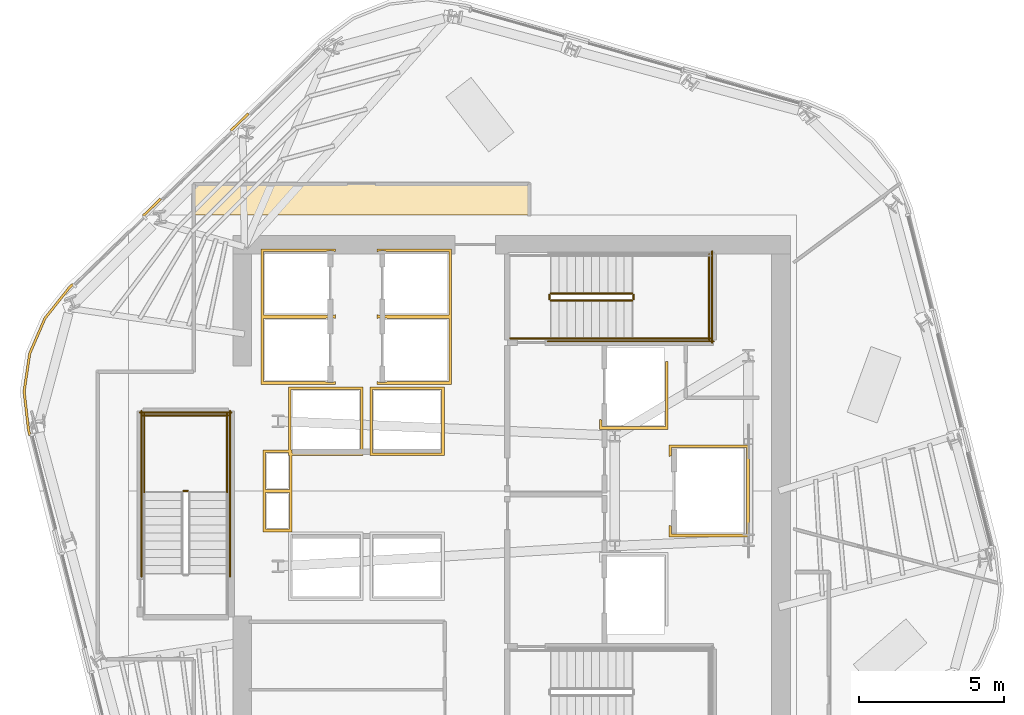
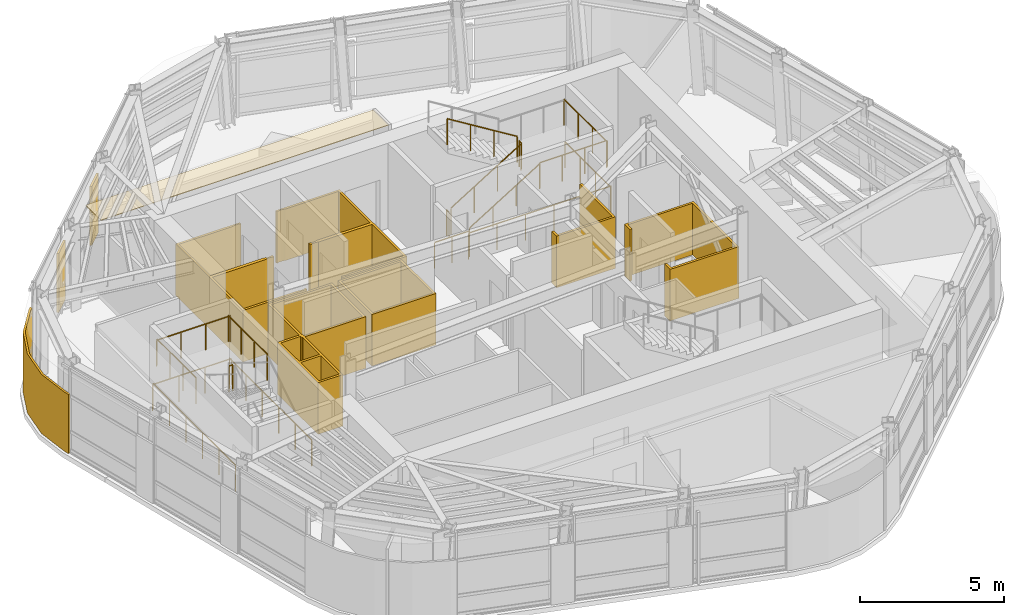
# One storey, part 12 of 14: 17 railings, 10 coverings.
"""IFC4 building model written with IfcOpenShell, lengths in metres."""

from ifc_helpers import new_model, si_unit, direction, frame, origin, origin_2d, place, context, subcontext, project, spatial, polyline, circle, outline, extrude, material, layer, layer_set, type_object, element, save


model = new_model("IFC4")

# Units and contexts
model_context = context("Model", 3, precision=1e-05, world=origin(), true_north=direction((0.0, 1.0)))
body_context = subcontext(model_context, "Body", "Model", "MODEL_VIEW")
ifc_project = project(units=[si_unit("LENGTHUNIT", "METRE"), si_unit("AREAUNIT", "SQUARE_METRE"), si_unit("VOLUMEUNIT", "CUBIC_METRE"), si_unit("PLANEANGLEUNIT", "RADIAN"), si_unit("MASSUNIT", "GRAM", prefix="KILO")], contexts=[model_context])

# Site, building, storey
site_placement = place(None, origin())
site = spatial("IfcSite", under=ifc_project, at=site_placement, CompositionType="ELEMENT")
building_placement = place(site_placement, origin())
building = spatial("IfcBuilding", under=site, at=building_placement, Name="Valkerne Bourse Tower", CompositionType="ELEMENT")
storey_placement = place(building_placement, frame((0.0, 0.0, 213.199951171875)))
storey = spatial("IfcBuildingStorey", under=building, at=storey_placement, Name="L54", CompositionType="ELEMENT", Elevation=213.199951171875)

# Coverings
ifc_material_1 = material(Name="Bronze Anodised Aluminium AA 6063-T6", Category="aluminium")
ifc_layer_1 = layer(ifc_material_1, 0.030029296875)
ifc_layer_set_1 = layer_set([ifc_layer_1], Name="Bronze Anodised Aluminium AA 6063-T6")
covering_type_1 = type_object("IfcCoveringType", Name="COV-CEIL-METAL", PredefinedType="CEILING", material=ifc_layer_set_1)
covering_1_placement = place(storey_placement, frame((0.0, 0.0, 3.25)))
element("IfcCovering", 1, at=covering_1_placement, inside=storey, type_object=covering_type_1, Name="L54 Suspended Ceiling 03", PredefinedType="CEILING", context=body_context, shape_type="SweptSolid", body=[
    extrude(outline(polyline([(35.85400390625, 37.555908203125), (47.39599609375, 37.555908203125), (47.39599609375, 36.5), (35.85400390625, 36.5), (35.85400390625, 37.555908203125)])), origin(), (0.0, 0.0, 1.0), 0.025146484375),
])
ifc_layer_2 = layer(ifc_material_1, 0.06005859375)
ifc_layer_set_2 = layer_set([ifc_layer_2], Name="Bronze Anodised Aluminium AA 6063-T6")
covering_type_2 = type_object("IfcCoveringType", Name="COV-CRN-ALUM", PredefinedType="CLADDING", material=ifc_layer_set_2)
covering_2_placement = place(storey_placement, origin())
element("IfcCovering", 2, at=covering_2_placement, inside=storey, type_object=covering_type_2, Name="L54 Wind-Shaped Corner Aluminium Cladding 10", PredefinedType="CLADDING", context=body_context, shape_type="SweptSolid", body=[
    extrude(outline(polyline([(30.126220703125, 29.09228515625), (29.97265625, 30.421142578125), (30.1669921875, 31.738037109375), (30.695556640625, 32.959716796875), (31.526611328125, 34.008056640625), (31.6650390625, 34.142578125), (31.720703125, 34.085205078125), (31.586181640625, 33.954345703125), (30.764892578125, 32.918212890625), (30.24462890625, 31.716064453125), (30.05322265625, 30.419921875), (30.205078125, 29.106689453125), (30.25048828125, 28.92431640625), (30.173095703125, 28.90478515625), (30.126220703125, 29.09228515625)])), origin(), (0.0, 0.0, 1.0), 2.5),
])
covering_3_placement = place(storey_placement, origin())
element("IfcCovering", 3, at=covering_3_placement, inside=storey, type_object=covering_type_2, Name="L54 Wind-Shaped Corner Aluminium Cladding 11", PredefinedType="CLADDING", context=body_context, shape_type="SweptSolid", body=[
    extrude(outline(polyline([(34.68505859375, 37.078857421875), (34.74072265625, 37.021484375), (34.138427734375, 36.435791015625), (34.082763671875, 36.493408203125), (34.68505859375, 37.078857421875)])), origin(), (0.0, 0.0, 1.0), 2.5),
])
covering_4_placement = place(storey_placement, origin())
element("IfcCovering", 4, at=covering_4_placement, inside=storey, type_object=covering_type_2, Name="L54 Wind-Shaped Corner Aluminium Cladding 12", PredefinedType="CLADDING", context=body_context, shape_type="SweptSolid", body=[
    extrude(outline(polyline([(37.704833984375, 40.01513671875), (37.760498046875, 39.957763671875), (37.158447265625, 39.372314453125), (37.102783203125, 39.4296875), (37.704833984375, 40.01513671875)])), origin(), (0.0, 0.0, 1.0), 2.5),
])
ifc_material_2 = material(Name="Gypsum Shaftwall Liner Board", Category="gypsum")
ifc_layer_3 = layer(ifc_material_2, 0.080078125)
ifc_layer_set_3 = layer_set([ifc_layer_3], Name="Gypsum Shaftwall Liner Board")
covering_type_3 = type_object("IfcCoveringType", Name="COV-SHF-CLAD", PredefinedType="CLADDING", material=ifc_layer_set_3)
covering_5_placement = place(storey_placement, origin())
element("IfcCovering", 5, at=covering_5_placement, inside=storey, type_object=covering_type_3, Name="L54 Hoistway & Riser Shaftwall Liner 03", PredefinedType="CLADDING", context=body_context, shape_type="SweptSolid", body=[
    extrude(outline(polyline([(38.239990234375, 28.409912109375), (39.1201171875, 28.409912109375), (39.1201171875, 30.580078125), (41.679931640625, 30.580078125), (41.679931640625, 28.219970703125), (39.239990234375, 28.219970703125), (39.239990234375, 27.0400390625), (39.239990234375, 26.9599609375), (39.239990234375, 25.590087890625), (38.239990234375, 25.590087890625), (38.239990234375, 26.9599609375), (38.239990234375, 27.0400390625), (38.239990234375, 28.409912109375)]), holes=[polyline([(38.330078125, 26.949951171875), (38.330078125, 25.679931640625), (39.14990234375, 25.679931640625), (39.14990234375, 26.949951171875), (38.330078125, 26.949951171875)]), polyline([(39.2099609375, 30.489990234375), (39.2099609375, 28.409912109375), (39.239990234375, 28.409912109375), (39.239990234375, 28.31005859375), (41.590087890625, 28.31005859375), (41.590087890625, 30.489990234375), (39.2099609375, 30.489990234375)]), polyline([(38.330078125, 27.050048828125), (39.14990234375, 27.050048828125), (39.14990234375, 28.219970703125), (39.1201171875, 28.219970703125), (39.1201171875, 28.320068359375), (38.330078125, 28.320068359375), (38.330078125, 27.050048828125)])]), origin(), (0.0, 0.0, 1.0), 2.179931640625),
])
covering_6_placement = place(storey_placement, origin())
element("IfcCovering", 6, at=covering_6_placement, inside=storey, type_object=covering_type_3, Name="L54 Hoistway & Riser Shaftwall Liner 04", PredefinedType="CLADDING", context=body_context, shape_type="SweptSolid", body=[
    extrude(outline(polyline([(38.169921875, 35.330078125), (40.72998046875, 35.330078125), (40.72998046875, 35.232177734375), (40.72216796875, 35.235595703125), (40.6806640625, 35.25048828125), (40.6376953125, 35.261474609375), (40.593994140625, 35.267822265625), (40.550048828125, 35.27001953125), (40.505859375, 35.267822265625), (40.462158203125, 35.261474609375), (40.41943359375, 35.25048828125), (40.3896484375, 35.239990234375), (38.260009765625, 35.239990234375), (38.260009765625, 33.06005859375), (40.3896484375, 33.06005859375), (40.41943359375, 33.04931640625), (40.462158203125, 33.03857421875), (40.505859375, 33.0322265625), (40.550048828125, 33.030029296875), (40.593994140625, 33.0322265625), (40.6376953125, 33.03857421875), (40.6806640625, 33.04931640625), (40.72216796875, 33.064208984375), (40.72998046875, 33.06787109375), (40.72998046875, 33.030029296875), (40.72998046875, 32.969970703125), (40.72998046875, 32.93212890625), (40.72216796875, 32.935791015625), (40.6806640625, 32.95068359375), (40.6376953125, 32.96142578125), (40.593994140625, 32.9677734375), (40.550048828125, 32.969970703125), (40.505859375, 32.9677734375), (40.462158203125, 32.96142578125), (40.41943359375, 32.95068359375), (40.3896484375, 32.93994140625), (38.260009765625, 32.93994140625), (38.260009765625, 30.760009765625), (40.3896484375, 30.760009765625), (40.41943359375, 30.74951171875), (40.462158203125, 30.738525390625), (40.505859375, 30.732177734375), (40.550048828125, 30.72998046875), (40.593994140625, 30.732177734375), (40.6376953125, 30.738525390625), (40.6806640625, 30.74951171875), (40.72216796875, 30.764404296875), (40.72998046875, 30.767822265625), (40.72998046875, 30.669921875), (38.169921875, 30.669921875), (38.169921875, 32.969970703125), (38.169921875, 33.030029296875), (38.169921875, 35.330078125)])), origin(), (0.0, 0.0, 1.0), 2.179931640625),
])
covering_7_placement = place(storey_placement, origin())
element("IfcCovering", 7, at=covering_7_placement, inside=storey, type_object=covering_type_3, Name="L54 Hoistway & Riser Shaftwall Liner 06", PredefinedType="CLADDING", context=body_context, shape_type="SweptSolid", body=[
    extrude(outline(polyline([(54.97998046875, 25.419921875), (52.219970703125, 25.419921875), (52.219970703125, 25.81787109375), (52.227783203125, 25.814208984375), (52.269287109375, 25.79931640625), (52.31005859375, 25.789306640625), (52.31005859375, 25.510009765625), (54.889892578125, 25.510009765625), (54.889892578125, 28.489990234375), (52.31005859375, 28.489990234375), (52.31005859375, 28.210693359375), (52.269287109375, 28.20068359375), (52.227783203125, 28.185791015625), (52.219970703125, 28.18212890625), (52.219970703125, 28.580078125), (54.97998046875, 28.580078125), (54.97998046875, 25.419921875)])), origin(), (0.0, 0.0, 1.0), 2.179931640625),
])
covering_8_placement = place(storey_placement, origin())
element("IfcCovering", 8, at=covering_8_placement, inside=storey, type_object=covering_type_3, Name="L54 Hoistway & Riser Shaftwall Liner 07", PredefinedType="CLADDING", context=body_context, shape_type="SweptSolid", body=[
    extrude(outline(polyline([(44.47998046875, 28.219970703125), (41.919921875, 28.219970703125), (41.919921875, 30.580078125), (44.47998046875, 30.580078125), (44.47998046875, 28.219970703125)]), holes=[polyline([(42.010009765625, 30.489990234375), (42.010009765625, 28.31005859375), (44.389892578125, 28.31005859375), (44.389892578125, 30.489990234375), (42.010009765625, 30.489990234375)])]), origin(), (0.0, 0.0, 1.0), 2.179931640625),
])
covering_9_placement = place(storey_placement, origin())
element("IfcCovering", 9, at=covering_9_placement, inside=storey, type_object=covering_type_3, Name="L54 Hoistway & Riser Shaftwall Liner 08", PredefinedType="CLADDING", context=body_context, shape_type="SweptSolid", body=[
    extrude(outline(polyline([(49.820068359375, 29.1201171875), (49.820068359375, 29.468017578125), (49.827880859375, 29.46435546875), (49.869384765625, 29.449462890625), (49.909912109375, 29.439208984375), (49.909912109375, 29.2099609375), (52.090087890625, 29.2099609375), (52.090087890625, 31.449951171875), (52.179931640625, 31.449951171875), (52.179931640625, 29.1201171875), (49.820068359375, 29.1201171875)])), origin(), (0.0, 0.0, 1.0), 2.179931640625),
])
covering_10_placement = place(storey_placement, origin())
element("IfcCovering", 10, at=covering_10_placement, inside=storey, type_object=covering_type_3, Name="L54 Hoistway & Riser Shaftwall Liner 09", PredefinedType="CLADDING", context=body_context, shape_type="SweptSolid", body=[
    extrude(outline(polyline([(42.169921875, 33.06787109375), (42.177734375, 33.064208984375), (42.219482421875, 33.04931640625), (42.26220703125, 33.03857421875), (42.305908203125, 33.0322265625), (42.35009765625, 33.030029296875), (42.39404296875, 33.0322265625), (42.437744140625, 33.03857421875), (42.480712890625, 33.04931640625), (42.51025390625, 33.06005859375), (44.639892578125, 33.06005859375), (44.639892578125, 35.239990234375), (42.51025390625, 35.239990234375), (42.480712890625, 35.25048828125), (42.437744140625, 35.261474609375), (42.39404296875, 35.267822265625), (42.35009765625, 35.27001953125), (42.305908203125, 35.267822265625), (42.26220703125, 35.261474609375), (42.219482421875, 35.25048828125), (42.177734375, 35.235595703125), (42.169921875, 35.232177734375), (42.169921875, 35.330078125), (44.72998046875, 35.330078125), (44.72998046875, 33.030029296875), (44.72998046875, 32.969970703125), (44.72998046875, 30.669921875), (42.169921875, 30.669921875), (42.169921875, 30.767822265625), (42.177734375, 30.764404296875), (42.219482421875, 30.74951171875), (42.26220703125, 30.738525390625), (42.305908203125, 30.732177734375), (42.35009765625, 30.72998046875), (42.39404296875, 30.732177734375), (42.437744140625, 30.738525390625), (42.480712890625, 30.74951171875), (42.51025390625, 30.760009765625), (44.639892578125, 30.760009765625), (44.639892578125, 32.93994140625), (42.51025390625, 32.93994140625), (42.480712890625, 32.95068359375), (42.437744140625, 32.96142578125), (42.39404296875, 32.9677734375), (42.35009765625, 32.969970703125), (42.305908203125, 32.9677734375), (42.26220703125, 32.96142578125), (42.219482421875, 32.95068359375), (42.177734375, 32.935791015625), (42.169921875, 32.93212890625), (42.169921875, 32.969970703125), (42.169921875, 33.030029296875), (42.169921875, 33.06787109375)])), origin(), (0.0, 0.0, 1.0), 2.179931640625),
])

# Railings
ifc_material_3 = material(Name="Galvanised Painted Steel", Category="steel")
railing_type_1 = type_object("IfcRailingType", Name="RLG-ST-GUARD-1120", PredefinedType="GUARDRAIL", material=ifc_material_3)
railing_1_placement = place(storey_placement, frame((48.14990234375, 33.550048828125, 0.1728515625)))
element("IfcRailing", 11, at=railing_1_placement, inside=storey, type_object=railing_type_1, Name="L54 ST-2 stair guard 1", PredefinedType="GUARDRAIL", context=body_context, shape_type="SweptSolid", body=[
    extrude(circle(Radius=0.02392578125, at=origin_2d()), frame((0.0, 0.0, 1.09619140625), z_axis=(0.851089632645, 0.0, 0.525020415988), x_axis=(0.0, 1.0, 0.0)), (0.0, 0.0, 1.0), 3.2900390625),
    extrude(circle(Radius=0.02099609375, at=origin_2d()), origin(), (0.0, 0.0, 1.0), 1.072021484375),
    extrude(circle(Radius=0.02099609375, at=origin_2d()), frame((0.933349609375, 0.0, 0.57568359375)), (0.0, 0.0, 1.0), 1.072021484375),
    extrude(circle(Radius=0.02099609375, at=origin_2d()), frame((1.86669921875, 0.0, 1.151611328125)), (0.0, 0.0, 1.0), 1.072021484375),
    extrude(circle(Radius=0.02099609375, at=origin_2d()), frame((2.800048828125, 0.0, 1.727294921875)), (0.0, 0.0, 1.0), 1.072021484375),
])
railing_2_placement = place(storey_placement, frame((51.0, 33.60009765625, 1.900146484375)))
element("IfcRailing", 12, at=railing_2_placement, inside=storey, type_object=railing_type_1, Name="L54 ST-2 stair guard 2", PredefinedType="GUARDRAIL", context=body_context, shape_type="SweptSolid", body=[
    extrude(circle(Radius=0.02392578125, at=origin_2d()), frame((0.0, 0.0, 1.09619140625), z_axis=(0.0, 1.0, 0.0), x_axis=(-1.0, 0.0, 0.0)), (0.0, 0.0, 1.0), 0.14990234375),
    extrude(circle(Radius=0.02099609375, at=origin_2d()), origin(), (0.0, 0.0, 1.0), 1.072021484375),
    extrude(circle(Radius=0.02099609375, at=origin_2d()), frame((0.0, 0.14990234375, 0.0)), (0.0, 0.0, 1.0), 1.072021484375),
])
railing_3_placement = place(storey_placement, frame((50.949951171875, 32.25, 1.900146484375)))
element("IfcRailing", 13, at=railing_3_placement, inside=storey, type_object=railing_type_1, Name="L54 ST-2 stair guard 3", PredefinedType="GUARDRAIL", context=body_context, shape_type="SweptSolid", body=[
    extrude(circle(Radius=0.02392578125, at=origin_2d()), frame((0.0, 0.0, 1.09619140625), z_axis=(1.0, 0.0, 0.0), x_axis=(0.0, 1.0, 0.0)), (0.0, 0.0, 1.0), 2.699951171875),
    extrude(circle(Radius=0.02099609375, at=origin_2d()), origin(), (0.0, 0.0, 1.0), 1.072021484375),
    extrude(circle(Radius=0.02099609375, at=origin_2d()), frame((0.89990234375, 0.0, 0.0)), (0.0, 0.0, 1.0), 1.072021484375),
    extrude(circle(Radius=0.02099609375, at=origin_2d()), frame((1.800048828125, 0.0, 0.0)), (0.0, 0.0, 1.0), 1.072021484375),
    extrude(circle(Radius=0.02099609375, at=origin_2d()), frame((2.699951171875, 0.0, 0.0)), (0.0, 0.0, 1.0), 1.072021484375),
])
railing_4_placement = place(storey_placement, frame((53.60009765625, 32.199951171875, 1.900146484375)))
element("IfcRailing", 14, at=railing_4_placement, inside=storey, type_object=railing_type_1, Name="L54 ST-2 stair guard 5", PredefinedType="GUARDRAIL", context=body_context, shape_type="SweptSolid", body=[
    extrude(circle(Radius=0.02392578125, at=origin_2d()), frame((0.0, 0.0, 1.09619140625), z_axis=(0.0, 1.0, 0.0), x_axis=(-1.0, 0.0, 0.0)), (0.0, 0.0, 1.0), 2.949951171875),
    extrude(circle(Radius=0.02099609375, at=origin_2d()), origin(), (0.0, 0.0, 1.0), 1.072021484375),
    extrude(circle(Radius=0.02099609375, at=origin_2d()), frame((0.0, 0.9833984375, 0.0)), (0.0, 0.0, 1.0), 1.072021484375),
    extrude(circle(Radius=0.02099609375, at=origin_2d()), frame((0.0, 1.966552734375, 0.0)), (0.0, 0.0, 1.0), 1.072021484375),
    extrude(circle(Radius=0.02099609375, at=origin_2d()), frame((0.0, 2.949951171875, 0.0)), (0.0, 0.0, 1.0), 1.072021484375),
])
railing_5_placement = place(storey_placement, frame((50.949951171875, 33.800048828125, 2.07275390625)))
element("IfcRailing", 15, at=railing_5_placement, inside=storey, type_object=railing_type_1, Name="L54 ST-2 stair guard 6", PredefinedType="GUARDRAIL", context=body_context, shape_type="SweptSolid", body=[
    extrude(circle(Radius=0.02392578125, at=origin_2d()), frame((0.0, 0.0, 1.09619140625), z_axis=(-0.851089632645, 0.0, 0.525020415988), x_axis=(0.0, -1.0, 0.0)), (0.0, 0.0, 1.0), 3.2900390625),
    extrude(circle(Radius=0.02099609375, at=origin_2d()), origin(), (0.0, 0.0, 1.0), 1.072021484375),
    extrude(circle(Radius=0.02099609375, at=origin_2d()), frame((-0.933349609375, 0.0, 0.57568359375)), (0.0, 0.0, 1.0), 1.072021484375),
    extrude(circle(Radius=0.02099609375, at=origin_2d()), frame((-1.86669921875, 0.0, 1.151611328125)), (0.0, 0.0, 1.0), 1.072021484375),
    extrude(circle(Radius=0.02099609375, at=origin_2d()), frame((-2.800048828125, 0.0, 1.727294921875)), (0.0, 0.0, 1.0), 1.072021484375),
])
railing_6_placement = place(storey_placement, frame((48.10009765625, 33.60009765625, 0.0)))
element("IfcRailing", 16, at=railing_6_placement, inside=storey, type_object=railing_type_1, Name="L54 ST-2 stair guard 7", PredefinedType="GUARDRAIL", context=body_context, shape_type="SweptSolid", body=[
    extrude(circle(Radius=0.02392578125, at=origin_2d()), frame((0.0, 0.0, 1.09619140625), z_axis=(0.0, 1.0, 0.0), x_axis=(-1.0, 0.0, 0.0)), (0.0, 0.0, 1.0), 0.14990234375),
    extrude(circle(Radius=0.02099609375, at=origin_2d()), origin(), (0.0, 0.0, 1.0), 1.072021484375),
    extrude(circle(Radius=0.02099609375, at=origin_2d()), frame((0.0, 0.14990234375, 0.0)), (0.0, 0.0, 1.0), 1.072021484375),
])
railing_7_placement = place(storey_placement, frame((46.75, 32.25, 0.0)))
element("IfcRailing", 17, at=railing_7_placement, inside=storey, type_object=railing_type_1, Name="L54 ST-2 stair guard 8", PredefinedType="GUARDRAIL", context=body_context, shape_type="SweptSolid", body=[
    extrude(circle(Radius=0.02392578125, at=origin_2d()), frame((0.0, 0.0, 1.09619140625), z_axis=(1.0, 0.0, 0.0), x_axis=(0.0, 1.0, 0.0)), (0.0, 0.0, 1.0), 1.39990234375),
    extrude(circle(Radius=0.02099609375, at=origin_2d()), origin(), (0.0, 0.0, 1.0), 1.072021484375),
    extrude(circle(Radius=0.02099609375, at=origin_2d()), frame((0.699951171875, 0.0, 0.0)), (0.0, 0.0, 1.0), 1.072021484375),
    extrude(circle(Radius=0.02099609375, at=origin_2d()), frame((1.39990234375, 0.0, 0.0)), (0.0, 0.0, 1.0), 1.072021484375),
])
railing_8_placement = place(storey_placement, frame((48.050048828125, 32.14990234375, 0.0)))
element("IfcRailing", 18, at=railing_8_placement, inside=storey, type_object=railing_type_1, Name="L54 ST-2 stair guard 10", PredefinedType="GUARDRAIL", context=body_context, shape_type="SweptSolid", body=[
    extrude(circle(Radius=0.02392578125, at=origin_2d()), frame((0.0, 0.0, 1.09619140625), z_axis=(1.0, 0.0, 0.0), x_axis=(0.0, 1.0, 0.0)), (0.0, 0.0, 1.0), 5.699951171875),
    extrude(circle(Radius=0.02099609375, at=origin_2d()), origin(), (0.0, 0.0, 1.0), 1.072021484375),
    extrude(circle(Radius=0.02099609375, at=origin_2d()), frame((1.139892578125, 0.0, 0.0)), (0.0, 0.0, 1.0), 1.072021484375),
    extrude(circle(Radius=0.02099609375, at=origin_2d()), frame((2.280029296875, 0.0, 0.0)), (0.0, 0.0, 1.0), 1.072021484375),
    extrude(circle(Radius=0.02099609375, at=origin_2d()), frame((3.419921875, 0.0, 0.0)), (0.0, 0.0, 1.0), 1.072021484375),
    extrude(circle(Radius=0.02099609375, at=origin_2d()), frame((4.56005859375, 0.0, 0.0)), (0.0, 0.0, 1.0), 1.072021484375),
    extrude(circle(Radius=0.02099609375, at=origin_2d()), frame((5.699951171875, 0.0, 0.0)), (0.0, 0.0, 1.0), 1.072021484375),
])
railing_9_placement = place(storey_placement, frame((53.699951171875, 32.10009765625, 0.0)))
element("IfcRailing", 19, at=railing_9_placement, inside=storey, type_object=railing_type_1, Name="L54 ST-2 stair guard 12", PredefinedType="GUARDRAIL", context=body_context, shape_type="SweptSolid", body=[
    extrude(circle(Radius=0.02392578125, at=origin_2d()), frame((0.0, 0.0, 1.09619140625), z_axis=(0.0, 1.0, 0.0), x_axis=(-1.0, 0.0, 0.0)), (0.0, 0.0, 1.0), 3.14990234375),
    extrude(circle(Radius=0.02099609375, at=origin_2d()), origin(), (0.0, 0.0, 1.0), 1.072021484375),
    extrude(circle(Radius=0.02099609375, at=origin_2d()), frame((0.0, 1.050048828125, 0.0)), (0.0, 0.0, 1.0), 1.072021484375),
    extrude(circle(Radius=0.02099609375, at=origin_2d()), frame((0.0, 2.099853515625, 0.0)), (0.0, 0.0, 1.0), 1.072021484375),
    extrude(circle(Radius=0.02099609375, at=origin_2d()), frame((0.0, 3.14990234375, 0.0)), (0.0, 0.0, 1.0), 1.072021484375),
])
railing_10_placement = place(storey_placement, frame((35.64990234375, 27.0, 1.900146484375)))
element("IfcRailing", 20, at=railing_10_placement, inside=storey, type_object=railing_type_1, Name="L54 ST-3 stair guard 2", PredefinedType="GUARDRAIL", context=body_context, shape_type="SweptSolid", body=[
    extrude(circle(Radius=0.02392578125, at=origin_2d()), frame((0.0, 0.0, 1.09619140625), z_axis=(-1.0, 0.0, 0.0), x_axis=(0.0, -1.0, 0.0)), (0.0, 0.0, 1.0), 0.14990234375),
    extrude(circle(Radius=0.02099609375, at=origin_2d()), origin(), (0.0, 0.0, 1.0), 1.072021484375),
    extrude(circle(Radius=0.02099609375, at=origin_2d()), frame((-0.14990234375, 0.0, 0.0)), (0.0, 0.0, 1.0), 1.072021484375),
])
for number, where, name in (
    (21, (37.0, 26.949951171875, 1.900146484375), "L54 ST-3 stair guard 3"),
    (22, (34.14990234375, 26.949951171875, 1.900146484375), "L54 ST-3 stair guard 4"),
):
    element("IfcRailing", number, at=place(storey_placement, frame(where)), inside=storey, type_object=railing_type_1, Name=name, PredefinedType="GUARDRAIL", context=body_context, shape_type="SweptSolid", body=[
        extrude(circle(Radius=0.02392578125, at=origin_2d()), frame((0.0, 0.0, 1.09619140625), z_axis=(0.0, 1.0, 0.0), x_axis=(-1.0, 0.0, 0.0)), (0.0, 0.0, 1.0), 2.699951171875),
        extrude(circle(Radius=0.02099609375, at=origin_2d()), origin(), (0.0, 0.0, 1.0), 1.072021484375),
        extrude(circle(Radius=0.02099609375, at=origin_2d()), frame((0.0, 0.89990234375, 0.0)), (0.0, 0.0, 1.0), 1.072021484375),
        extrude(circle(Radius=0.02099609375, at=origin_2d()), frame((0.0, 1.800048828125, 0.0)), (0.0, 0.0, 1.0), 1.072021484375),
        extrude(circle(Radius=0.02099609375, at=origin_2d()), frame((0.0, 2.699951171875, 0.0)), (0.0, 0.0, 1.0), 1.072021484375),
    ])
railing_11_placement = place(storey_placement, frame((37.050048828125, 29.60009765625, 1.900146484375)))
element("IfcRailing", 23, at=railing_11_placement, inside=storey, type_object=railing_type_1, Name="L54 ST-3 stair guard 5", PredefinedType="GUARDRAIL", context=body_context, shape_type="SweptSolid", body=[
    extrude(circle(Radius=0.02392578125, at=origin_2d()), frame((0.0, 0.0, 1.09619140625), z_axis=(-1.0, 0.0, 0.0), x_axis=(0.0, -1.0, 0.0)), (0.0, 0.0, 1.0), 2.949951171875),
    extrude(circle(Radius=0.02099609375, at=origin_2d()), origin(), (0.0, 0.0, 1.0), 1.072021484375),
    extrude(circle(Radius=0.02099609375, at=origin_2d()), frame((-0.9833984375, 0.0, 0.0)), (0.0, 0.0, 1.0), 1.072021484375),
    extrude(circle(Radius=0.02099609375, at=origin_2d()), frame((-1.966552734375, 0.0, 0.0)), (0.0, 0.0, 1.0), 1.072021484375),
    extrude(circle(Radius=0.02099609375, at=origin_2d()), frame((-2.949951171875, 0.0, 0.0)), (0.0, 0.0, 1.0), 1.072021484375),
])
for number, where, name in (
    (24, (37.10009765625, 24.050048828125, 0.0), "L54 ST-3 stair guard 10"),
    (25, (34.050048828125, 24.050048828125, 0.0), "L54 ST-3 stair guard 11"),
):
    element("IfcRailing", number, at=place(storey_placement, frame(where)), inside=storey, type_object=railing_type_1, Name=name, PredefinedType="GUARDRAIL", context=body_context, shape_type="SweptSolid", body=[
        extrude(circle(Radius=0.02392578125, at=origin_2d()), frame((0.0, 0.0, 1.09619140625), z_axis=(0.0, 1.0, 0.0), x_axis=(-1.0, 0.0, 0.0)), (0.0, 0.0, 1.0), 5.699951171875),
        extrude(circle(Radius=0.02099609375, at=origin_2d()), origin(), (0.0, 0.0, 1.0), 1.072021484375),
        extrude(circle(Radius=0.02099609375, at=origin_2d()), frame((0.0, 1.139892578125, 0.0)), (0.0, 0.0, 1.0), 1.072021484375),
        extrude(circle(Radius=0.02099609375, at=origin_2d()), frame((0.0, 2.280029296875, 0.0)), (0.0, 0.0, 1.0), 1.072021484375),
        extrude(circle(Radius=0.02099609375, at=origin_2d()), frame((0.0, 3.419921875, 0.0)), (0.0, 0.0, 1.0), 1.072021484375),
        extrude(circle(Radius=0.02099609375, at=origin_2d()), frame((0.0, 4.56005859375, 0.0)), (0.0, 0.0, 1.0), 1.072021484375),
        extrude(circle(Radius=0.02099609375, at=origin_2d()), frame((0.0, 5.699951171875, 0.0)), (0.0, 0.0, 1.0), 1.072021484375),
    ])
railing_12_placement = place(storey_placement, frame((37.14990234375, 29.699951171875, 0.0)))
element("IfcRailing", 26, at=railing_12_placement, inside=storey, type_object=railing_type_1, Name="L54 ST-3 stair guard 12", PredefinedType="GUARDRAIL", context=body_context, shape_type="SweptSolid", body=[
    extrude(circle(Radius=0.02392578125, at=origin_2d()), frame((0.0, 0.0, 1.09619140625), z_axis=(-1.0, 0.0, 0.0), x_axis=(0.0, -1.0, 0.0)), (0.0, 0.0, 1.0), 3.14990234375),
    extrude(circle(Radius=0.02099609375, at=origin_2d()), origin(), (0.0, 0.0, 1.0), 1.072021484375),
    extrude(circle(Radius=0.02099609375, at=origin_2d()), frame((-1.050048828125, 0.0, 0.0)), (0.0, 0.0, 1.0), 1.072021484375),
    extrude(circle(Radius=0.02099609375, at=origin_2d()), frame((-2.099853515625, 0.0, 0.0)), (0.0, 0.0, 1.0), 1.072021484375),
    extrude(circle(Radius=0.02099609375, at=origin_2d()), frame((-3.14990234375, 0.0, 0.0)), (0.0, 0.0, 1.0), 1.072021484375),
])
ifc_material_4 = material(Name="Stainless Steel AISI 316", Category="steel")
railing_type_2 = type_object("IfcRailingType", Name="RLG-ST-HANDRAIL-900", PredefinedType="HANDRAIL", material=ifc_material_4)
railing_13_placement = place(storey_placement, frame((48.14990234375, 32.25, 0.345458984375)))
element("IfcRailing", 27, at=railing_13_placement, inside=storey, type_object=railing_type_2, Name="L54 ST-2 stair handrail 1", PredefinedType="HANDRAIL", context=body_context, shape_type="SweptSolid", body=[
    extrude(circle(Radius=0.02392578125, at=origin_2d()), frame((0.0, 0.0, 0.8759765625), z_axis=(0.851089632645, 0.0, 0.525020415988), x_axis=(0.0, 1.0, 0.0)), (0.0, 0.0, 1.0), 3.2900390625),
    extrude(circle(Radius=0.02099609375, at=origin_2d()), origin(), (0.0, 0.0, 1.0), 0.851806640625),
    extrude(circle(Radius=0.02099609375, at=origin_2d()), frame((0.933349609375, 0.0, 0.57568359375)), (0.0, 0.0, 1.0), 0.851806640625),
    extrude(circle(Radius=0.02099609375, at=origin_2d()), frame((1.86669921875, 0.0, 1.151611328125)), (0.0, 0.0, 1.0), 0.851806640625),
    extrude(circle(Radius=0.02099609375, at=origin_2d()), frame((2.800048828125, 0.0, 1.727294921875)), (0.0, 0.0, 1.0), 0.851806640625),
])

save(model, "model.ifc")
